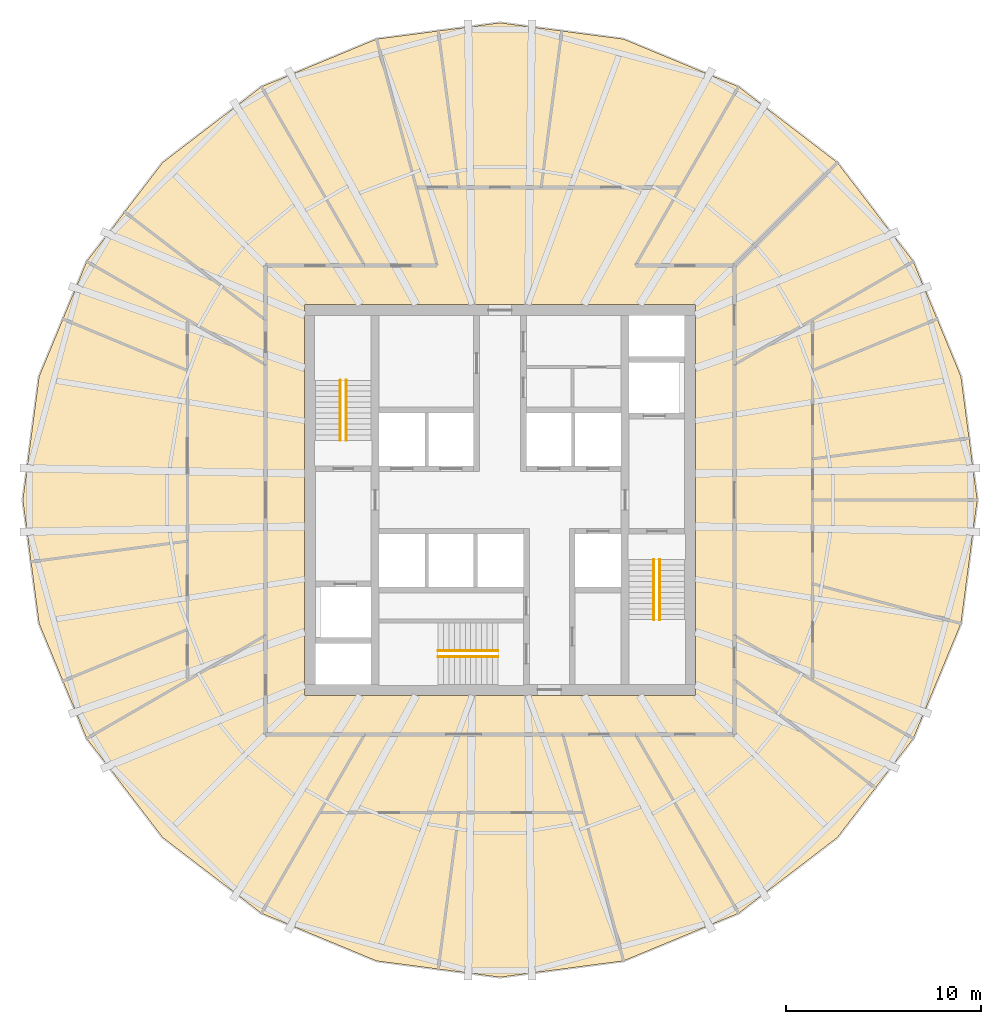
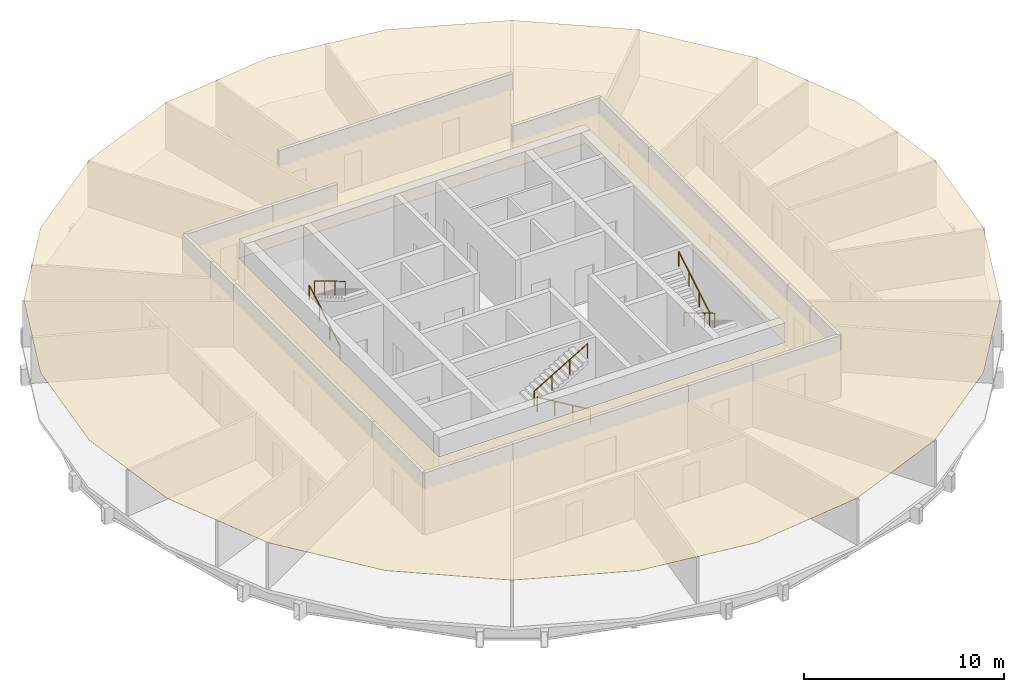
# One storey, part 6 of 6: 6 railings, 1 covering.
"""IFC4 building model written with IfcOpenShell, lengths in metres."""

from ifc_helpers import new_model, si_unit, direction, frame, origin, origin_2d, place, context, subcontext, project, spatial, polyline, circle, outline, extrude, material, layer, layer_set, type_object, element, save


model = new_model("IFC4")

# Units and contexts
model_context = context("Model", 3, precision=1e-05, world=origin(), true_north=direction((0.0, 1.0)))
body_context = subcontext(model_context, "Body", "Model", "MODEL_VIEW")
ifc_project = project(units=[si_unit("LENGTHUNIT", "METRE"), si_unit("AREAUNIT", "SQUARE_METRE"), si_unit("VOLUMEUNIT", "CUBIC_METRE"), si_unit("PLANEANGLEUNIT", "RADIAN"), si_unit("MASSUNIT", "GRAM", prefix="KILO")], contexts=[model_context])

# Site, building, storey
site_placement = place(None, origin())
site = spatial("IfcSite", under=ifc_project, at=site_placement, CompositionType="ELEMENT")
building_placement = place(site_placement, origin())
building = spatial("IfcBuilding", under=site, at=building_placement, Name="Golbaran Civic Tower", CompositionType="ELEMENT")
storey_placement = place(building_placement, frame((0.0, 0.0, 114.0)))
storey = spatial("IfcBuildingStorey", under=building, at=storey_placement, Name="L27", CompositionType="ELEMENT", Elevation=114.0)

# Railings
ifc_material_1 = material(Name="Stainless steel", Category="steel")
railing_type = type_object("IfcRailingType", Name="STAIR HANDRAIL 900", PredefinedType="HANDRAIL", material=ifc_material_1)
railing_1_placement = place(storey_placement, frame((-8.175048828125, 3.050048828125, 0.166748046875)))
element("IfcRailing", 1, at=railing_1_placement, inside=storey, type_object=railing_type, Name="Stair S1 handrail flight 1 L27", PredefinedType="HANDRAIL", context=body_context, shape_type="SweptSolid", body=[
    extrude(circle(Radius=0.02392578125, at=origin_2d()), frame((0.0, 0.0, 0.8759765625), z_axis=(0.0, 0.859290745958, 0.51148745235), x_axis=(-1.0, 0.0, 0.0)), (0.0, 0.0, 1.0), 3.584228515625),
    extrude(circle(Radius=0.02099609375, at=origin_2d()), origin(), (0.0, 0.0, 1.0), 0.851806640625),
    extrude(circle(Radius=0.02099609375, at=origin_2d()), frame((0.0, 1.026611328125, 0.611083984375)), (0.0, 0.0, 1.0), 0.851806640625),
    extrude(circle(Radius=0.02099609375, at=origin_2d()), frame((0.0, 2.05322265625, 1.22216796875)), (0.0, 0.0, 1.0), 0.851806640625),
    extrude(circle(Radius=0.02099609375, at=origin_2d()), frame((0.0, 3.079833984375, 1.833251953125)), (0.0, 0.0, 1.0), 0.851806640625),
])
for number, where, name in (
    (2, (-7.875, 6.1298828125, 2.166748046875), "Stair S1 handrail flight 2 L27"),
    (3, (8.175048828125, -3.050048828125, 0.166748046875), "Stair S2 handrail flight 1 L27"),
):
    element("IfcRailing", number, at=place(storey_placement, frame(where)), inside=storey, type_object=railing_type, Name=name, PredefinedType="HANDRAIL", context=body_context, shape_type="SweptSolid", body=[
        extrude(circle(Radius=0.02392578125, at=origin_2d()), frame((0.0, 0.0, 0.8759765625), z_axis=(0.0, -0.859290745958, 0.51148745235), x_axis=(1.0, 0.0, 0.0)), (0.0, 0.0, 1.0), 3.584228515625),
        extrude(circle(Radius=0.02099609375, at=origin_2d()), origin(), (0.0, 0.0, 1.0), 0.851806640625),
        extrude(circle(Radius=0.02099609375, at=origin_2d()), frame((0.0, -1.026611328125, 0.611083984375)), (0.0, 0.0, 1.0), 0.851806640625),
        extrude(circle(Radius=0.02099609375, at=origin_2d()), frame((0.0, -2.05322265625, 1.22216796875)), (0.0, 0.0, 1.0), 0.851806640625),
        extrude(circle(Radius=0.02099609375, at=origin_2d()), frame((0.0, -3.079833984375, 1.833251953125)), (0.0, 0.0, 1.0), 0.851806640625),
    ])
railing_2_placement = place(storey_placement, frame((7.875, -6.1298828125, 2.166748046875)))
element("IfcRailing", 4, at=railing_2_placement, inside=storey, type_object=railing_type, Name="Stair S2 handrail flight 2 L27", PredefinedType="HANDRAIL", context=body_context, shape_type="SweptSolid", body=[
    extrude(circle(Radius=0.02392578125, at=origin_2d()), frame((0.0, 0.0, 0.8759765625), z_axis=(0.0, 0.859290745958, 0.51148745235), x_axis=(-1.0, 0.0, 0.0)), (0.0, 0.0, 1.0), 3.584228515625),
    extrude(circle(Radius=0.02099609375, at=origin_2d()), origin(), (0.0, 0.0, 1.0), 0.851806640625),
    extrude(circle(Radius=0.02099609375, at=origin_2d()), frame((0.0, 1.026611328125, 0.611083984375)), (0.0, 0.0, 1.0), 0.851806640625),
    extrude(circle(Radius=0.02099609375, at=origin_2d()), frame((0.0, 2.05322265625, 1.22216796875)), (0.0, 0.0, 1.0), 0.851806640625),
    extrude(circle(Radius=0.02099609375, at=origin_2d()), frame((0.0, 3.079833984375, 1.833251953125)), (0.0, 0.0, 1.0), 0.851806640625),
])
railing_3_placement = place(storey_placement, frame((-0.10009765625, -8.02490234375, 0.166748046875)))
element("IfcRailing", 5, at=railing_3_placement, inside=storey, type_object=railing_type, Name="Stair S3 handrail flight 1 L27", PredefinedType="HANDRAIL", context=body_context, shape_type="SweptSolid", body=[
    extrude(circle(Radius=0.02392578125, at=origin_2d()), frame((0.0, 0.0, 0.8759765625), z_axis=(-0.859290745958, 0.0, 0.51148745235), x_axis=(0.0, -1.0, 0.0)), (0.0, 0.0, 1.0), 3.584228515625),
    extrude(circle(Radius=0.02099609375, at=origin_2d()), origin(), (0.0, 0.0, 1.0), 0.851806640625),
    extrude(circle(Radius=0.02099609375, at=origin_2d()), frame((-1.026611328125, 0.0, 0.611083984375)), (0.0, 0.0, 1.0), 0.851806640625),
    extrude(circle(Radius=0.02099609375, at=origin_2d()), frame((-2.05322265625, 0.0, 1.22216796875)), (0.0, 0.0, 1.0), 0.851806640625),
    extrude(circle(Radius=0.02099609375, at=origin_2d()), frame((-3.079833984375, 0.0, 1.833251953125)), (0.0, 0.0, 1.0), 0.851806640625),
])
railing_4_placement = place(storey_placement, frame((-3.179931640625, -7.72509765625, 2.166748046875)))
element("IfcRailing", 6, at=railing_4_placement, inside=storey, type_object=railing_type, Name="Stair S3 handrail flight 2 L27", PredefinedType="HANDRAIL", context=body_context, shape_type="SweptSolid", body=[
    extrude(circle(Radius=0.02392578125, at=origin_2d()), frame((0.0, 0.0, 0.8759765625), z_axis=(0.859290745958, 0.0, 0.51148745235), x_axis=(0.0, 1.0, 0.0)), (0.0, 0.0, 1.0), 3.584228515625),
    extrude(circle(Radius=0.02099609375, at=origin_2d()), origin(), (0.0, 0.0, 1.0), 0.851806640625),
    extrude(circle(Radius=0.02099609375, at=origin_2d()), frame((1.026611328125, 0.0, 0.611083984375)), (0.0, 0.0, 1.0), 0.851806640625),
    extrude(circle(Radius=0.02099609375, at=origin_2d()), frame((2.05322265625, 0.0, 1.22216796875)), (0.0, 0.0, 1.0), 0.851806640625),
    extrude(circle(Radius=0.02099609375, at=origin_2d()), frame((3.079833984375, 0.0, 1.833251953125)), (0.0, 0.0, 1.0), 0.851806640625),
])

# Covering
ifc_material_2 = material(Name="Mineral fibre tile on steel grid", Category="steel")
ifc_layer = layer(ifc_material_2, 0.02001953125, Name="Mineral fibre tile on steel grid")
ifc_layer_set = layer_set([ifc_layer], Name="Mineral fibre tile on steel grid")
covering_type = type_object("IfcCoveringType", Name="SUSPENDED CEILING 600 TILE 20", PredefinedType="CEILING", material=ifc_layer_set)
covering_placement = place(storey_placement, frame((0.0, 0.0, 2.800048828125)))
element("IfcCovering", 7, at=covering_placement, inside=storey, type_object=covering_type, Name="Suspended ceiling L27", PredefinedType="CEILING", context=body_context, shape_type="SweptSolid", body=[
    extrude(outline(polyline([(-24.427978515625, 0.0), (-23.595703125, 6.322509765625), (-21.1552734375, 12.214111328125), (-17.273193359375, 17.273193359375), (-12.214111328125, 21.1552734375), (-6.322509765625, 23.595703125), (0.0, 24.427978515625), (3.309814453125, 23.9921875), (6.322509765625, 23.595703125), (12.214111328125, 21.1552734375), (17.273193359375, 17.273193359375), (21.1552734375, 12.214111328125), (23.595703125, 6.322509765625), (24.427978515625, 0.0), (23.595703125, -6.322509765625), (21.1552734375, -12.214111328125), (17.273193359375, -17.273193359375), (12.214111328125, -21.1552734375), (6.322509765625, -23.595703125), (0.0, -24.427978515625), (-3.309814453125, -23.9921875), (-6.322509765625, -23.595703125), (-12.214111328125, -21.1552734375), (-17.273193359375, -17.273193359375), (-21.1552734375, -12.214111328125), (-23.595703125, -6.322509765625), (-24.427978515625, 0.0)]), holes=[polyline([(10.0, 10.0), (-10.0, 10.0), (-10.0, -10.0), (10.0, -10.0), (10.0, 10.0)])]), origin(), (0.0, 0.0, 1.0), 0.02001953125),
])

save(model, "model.ifc")
